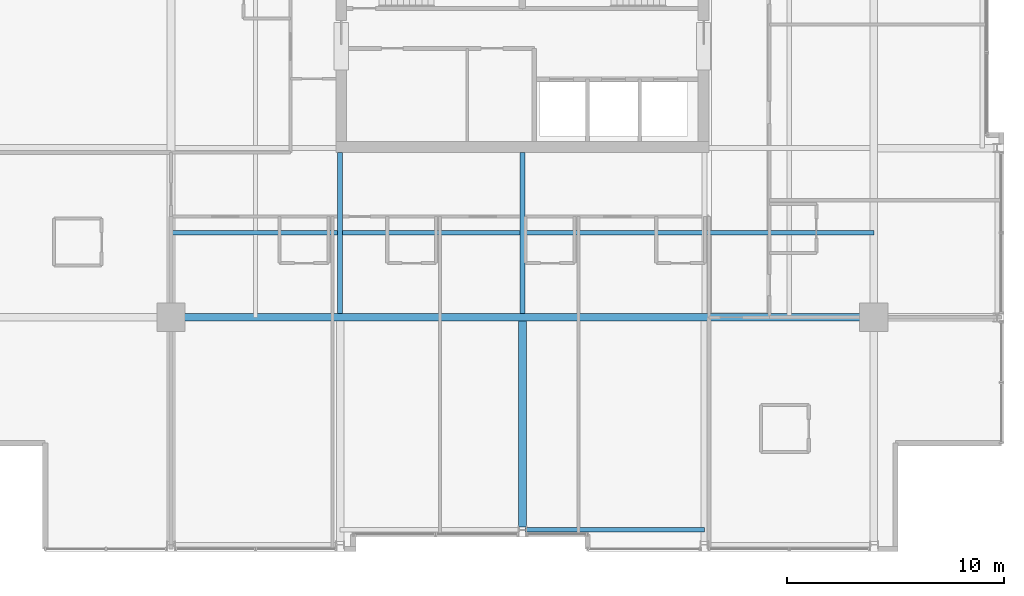
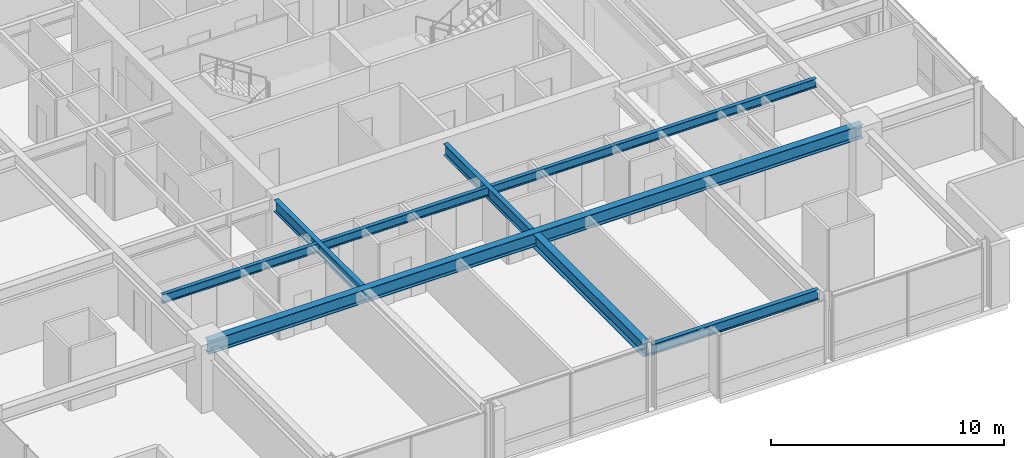
# One storey, part 6 of 33: 6 beams.
"""IFC4 building model written with IfcOpenShell, lengths in metres."""

from ifc_helpers import new_model, si_unit, direction, frame, origin, origin_2d, place, context, subcontext, project, spatial, i_section, extrude, material, material_profile, profile_set, type_object, element, save


model = new_model("IFC4")

# Units and contexts
model_context = context("Model", 3, precision=1e-05, world=origin(), true_north=direction((0.0, 1.0)))
body_context = subcontext(model_context, "Body", "Model", "MODEL_VIEW")
ifc_project = project(units=[si_unit("LENGTHUNIT", "METRE"), si_unit("AREAUNIT", "SQUARE_METRE"), si_unit("VOLUMEUNIT", "CUBIC_METRE"), si_unit("PLANEANGLEUNIT", "RADIAN"), si_unit("MASSUNIT", "GRAM", prefix="KILO")], contexts=[model_context])

# Site, building, storey
site_placement = place(None, origin())
site = spatial("IfcSite", under=ifc_project, at=site_placement, CompositionType="ELEMENT")
building_placement = place(site_placement, origin())
building = spatial("IfcBuilding", under=site, at=building_placement, Name="Drelvath Grand Hotel", CompositionType="ELEMENT")
storey_placement = place(building_placement, frame((0.0, 0.0, 171.699951171875)))
storey = spatial("IfcBuildingStorey", under=building, at=storey_placement, Name="L44", CompositionType="ELEMENT", Elevation=171.699951171875)

# Beams
ifc_material = material(Name="Steel ASTM A992 Gr 50", Category="steel")
ifc_material_profile_1 = material_profile(ifc_material, i_section(OverallWidth=0.19140625, OverallDepth=0.4599609375, WebThickness=0.010009765625, FlangeThickness=0.01611328125, FilletRadius=0.01611328125, at=origin_2d()), Name="W18X55")
ifc_profile_set_1 = profile_set([ifc_material_profile_1], Name="Steel ASTM A992 Gr 50")
beam_type_1 = type_object("IfcBeamType", Name="Composite Floor Joist W18X55", PredefinedType="JOIST", material=ifc_profile_set_1)
beam_1_placement = place(storey_placement, frame((-16.199951171875, 14.699951171875, 3.06005859375), z_axis=(1.0, 0.0, 0.0), x_axis=(0.0, 1.0, 0.0)))
element("IfcBeam", 1, at=beam_1_placement, inside=storey, type_object=beam_type_1, Name="L44 Floor Joist J1", PredefinedType="JOIST", context=body_context, shape_type="SweptSolid", body=[
    extrude(i_section(OverallWidth=0.19140625, OverallDepth=0.4599609375, WebThickness=0.010009765625, FlangeThickness=0.01611328125, FilletRadius=0.01611328125, at=origin_2d()), origin(), (0.0, 0.0, 1.0), 32.39990234375),
])
ifc_material_profile_2 = material_profile(ifc_material, i_section(OverallWidth=0.210205078125, OverallDepth=0.53662109375, WebThickness=0.010986328125, FlangeThickness=0.017333984375, FilletRadius=0.01806640625, at=origin_2d()), Name="W21X68")
ifc_profile_set_2 = profile_set([ifc_material_profile_2], Name="Steel ASTM A992 Gr 50")
beam_type_2 = type_object("IfcBeamType", Name="Perimeter Spandrel Beam W21X68", PredefinedType="SPANDREL", material=ifc_profile_set_2)
beam_2_placement = place(storey_placement, frame((0.139892578125, 1.0, 3.021728515625), z_axis=(1.0, 0.0, 0.0), x_axis=(0.0, 1.0, 0.0)))
element("IfcBeam", 2, at=beam_2_placement, inside=storey, type_object=beam_type_2, Name="L44 Spandrel South Mid E", PredefinedType="SPANDREL", context=body_context, shape_type="SweptSolid", body=[
    extrude(i_section(OverallWidth=0.210205078125, OverallDepth=0.53662109375, WebThickness=0.010986328125, FlangeThickness=0.017333984375, FilletRadius=0.01806640625, at=origin_2d()), origin(), (0.0, 0.0, 1.0), 8.260009765625),
])
ifc_material_profile_3 = material_profile(ifc_material, i_section(OverallWidth=0.228271484375, OverallDepth=0.607666015625, WebThickness=0.01123046875, FlangeThickness=0.017333984375, FilletRadius=0.02001953125, at=origin_2d()), Name="W24X76")
ifc_profile_set_3 = profile_set([ifc_material_profile_3], Name="Steel ASTM A992 Gr 50")
beam_type_3 = type_object("IfcBeamType", Name="Primary Floor Girder W24X76", PredefinedType="BEAM", material=ifc_profile_set_3)
for number, where, z_axis, x_axis, name in (
    (3, (-8.39990234375, 10.977294921875, 2.986328125), (0.0, 1.0, 0.0), (-1.0, 0.0, 0.0), "L44 South Core Tie 4"),
    (4, (0.0, 10.977294921875, 2.986328125), (0.0, 1.0, 0.0), (-1.0, 0.0, 0.0), "L44 South Core Tie 5"),
):
    element("IfcBeam", number, at=place(storey_placement, frame(where, z_axis=z_axis, x_axis=x_axis)), inside=storey, type_object=beam_type_3, Name=name, PredefinedType="BEAM", context=body_context, shape_type="SweptSolid", body=[
        extrude(i_section(OverallWidth=0.228271484375, OverallDepth=0.607666015625, WebThickness=0.01123046875, FlangeThickness=0.017333984375, FilletRadius=0.02001953125, at=origin_2d()), origin(), (0.0, 0.0, 1.0), 7.422607421875),
    ])
ifc_material_profile_4 = material_profile(ifc_material, i_section(OverallWidth=0.354736328125, OverallDepth=0.695556640625, WebThickness=0.015380859375, FlangeThickness=0.025146484375, FilletRadius=0.02392578125, at=origin_2d()), Name="W27X146")
ifc_profile_set_4 = profile_set([ifc_material_profile_4], Name="Steel ASTM A992 Gr 50")
beam_type_4 = type_object("IfcBeamType", Name="Primary Floor Girder W27X146", PredefinedType="BEAM", material=ifc_profile_set_4)
beam_3_placement = place(storey_placement, frame((-16.199951171875, 10.800048828125, 2.9423828125), z_axis=(1.0, 0.0, 0.0), x_axis=(0.0, 1.0, 0.0)))
element("IfcBeam", 5, at=beam_3_placement, inside=storey, type_object=beam_type_4, Name="L44 Mega Ring Girder South", PredefinedType="BEAM", context=body_context, shape_type="SweptSolid", body=[
    extrude(i_section(OverallWidth=0.354736328125, OverallDepth=0.695556640625, WebThickness=0.015380859375, FlangeThickness=0.025146484375, FilletRadius=0.02392578125, at=origin_2d()), origin(), (0.0, 0.0, 1.0), 32.39990234375),
])
beam_4_placement = place(storey_placement, frame((0.0, 1.139892578125, 2.9423828125), z_axis=(0.0, 1.0, 0.0), x_axis=(-1.0, 0.0, 0.0)))
element("IfcBeam", 6, at=beam_4_placement, inside=storey, type_object=beam_type_4, Name="L44 South Wing Girder 5", PredefinedType="BEAM", context=body_context, shape_type="SweptSolid", body=[
    extrude(i_section(OverallWidth=0.354736328125, OverallDepth=0.695556640625, WebThickness=0.015380859375, FlangeThickness=0.025146484375, FilletRadius=0.02392578125, at=origin_2d()), origin(), (0.0, 0.0, 1.0), 9.482666015625),
])

save(model, "model.ifc")
